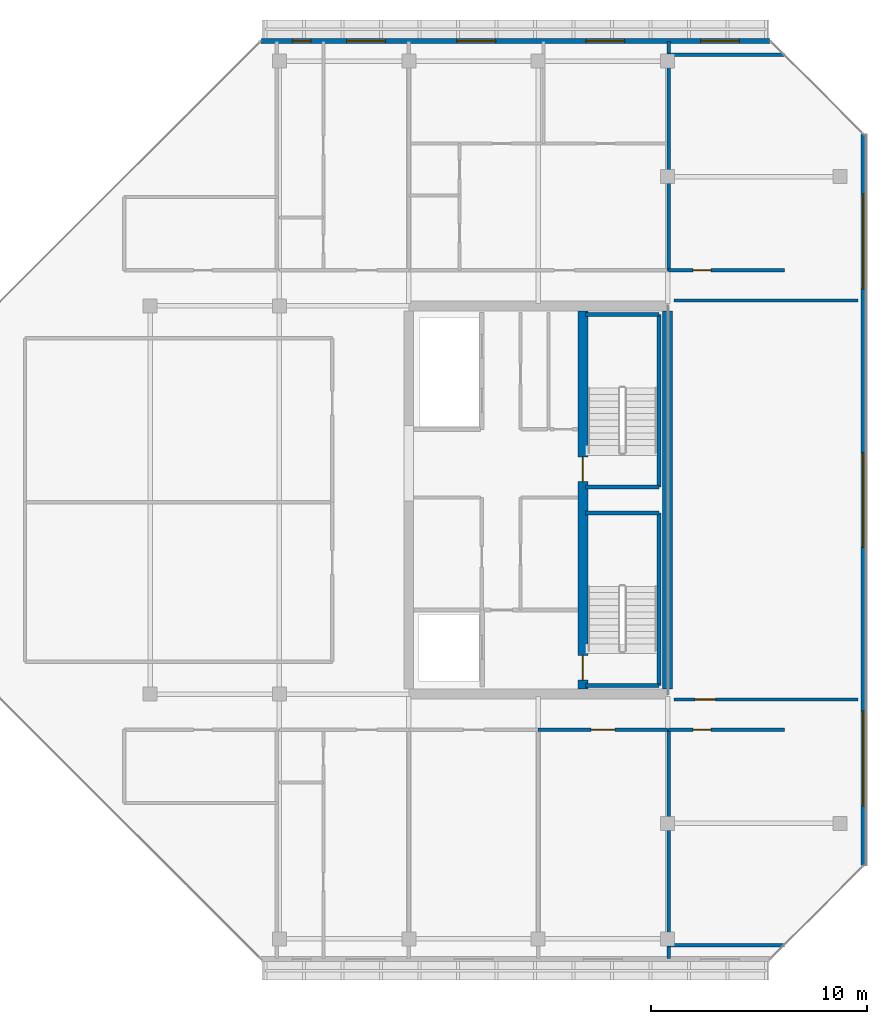
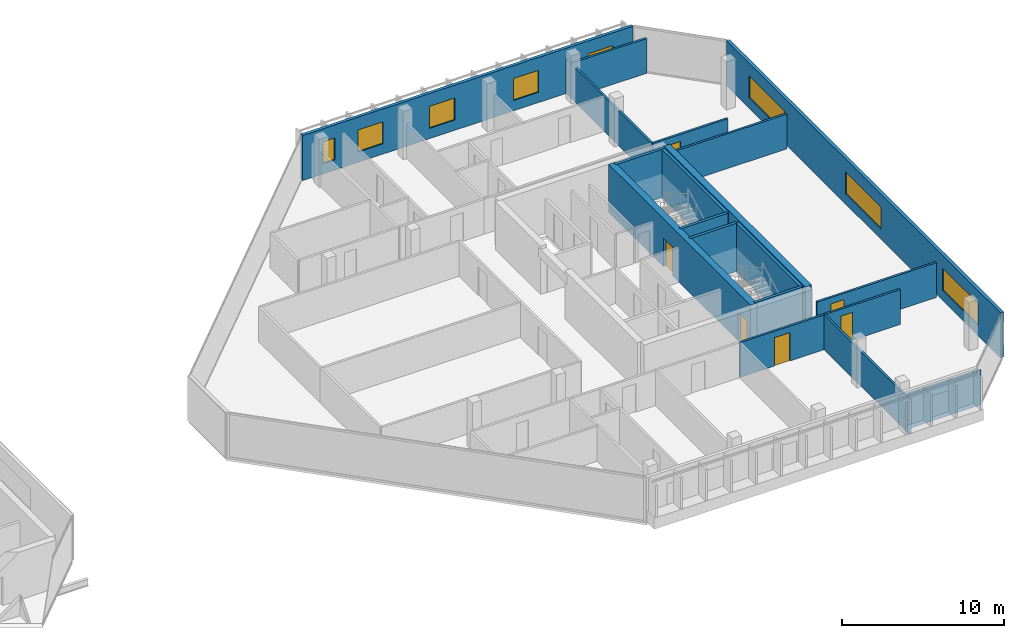
# One storey, part 24 of 28: 19 walls, 8 windows, 6 doors, 14 openings.
"""IFC4 building model written with IfcOpenShell, lengths in metres."""

from ifc_helpers import new_model, si_unit, direction, frame, frame_2d, origin, place, context, subcontext, project, spatial, rectangle, extrude, material, layer, layer_set, type_object, element, fill, save


model = new_model("IFC4")

# Units and contexts
model_context = context("Model", 3, precision=1e-05, world=origin(), true_north=direction((0.0, 1.0)))
body_context = subcontext(model_context, "Body", "Model", "MODEL_VIEW")
ifc_project = project(units=[si_unit("LENGTHUNIT", "METRE"), si_unit("AREAUNIT", "SQUARE_METRE"), si_unit("VOLUMEUNIT", "CUBIC_METRE"), si_unit("PLANEANGLEUNIT", "RADIAN"), si_unit("MASSUNIT", "GRAM", prefix="KILO")], contexts=[model_context])

# Site, building, storey
site_placement = place(None, origin())
site = spatial("IfcSite", under=ifc_project, at=site_placement, CompositionType="ELEMENT")
building_placement = place(site_placement, origin())
building = spatial("IfcBuilding", under=site, at=building_placement, Name="Tanjung Sevakor Pilgrim Tower", CompositionType="ELEMENT")
storey_placement = place(building_placement, frame((0.0, 0.0, 242.550048828125)))
storey = spatial("IfcBuildingStorey", under=building, at=storey_placement, Name="L68", CompositionType="ELEMENT", Elevation=242.550048828125)

# Wall
ifc_material_1 = material(Name="Concrete C60/75", Category="concrete")
ifc_layer_1 = layer(ifc_material_1, 0.449951171875)
ifc_layer_set_1 = layer_set([ifc_layer_1], Name="WALL-CW-450")
wall_type_1 = type_object("IfcWallType", Name="WALL-CW-450", PredefinedType="SHEAR", material=ifc_layer_set_1)
wall_1_placement = place(storey_placement, frame((90.0, 24.824951171875, 0.0), z_axis=(0.0, 0.0, 1.0), x_axis=(0.0, 1.0, 0.0)))
element("IfcWall", 1, at=wall_1_placement, inside=storey, type_object=wall_type_1, Name="L68 E Core Outer Shear Wall", PredefinedType="SHEAR", context=body_context, shape_type="SweptSolid", body=[
    extrude(rectangle(XDim=17.550048828125, YDim=0.449951171875, at=frame_2d((8.77490234375, 0.0))), origin(), (0.0, 0.0, 1.0), 3.6298828125),
])

# Wall, openings, doors
wall_2_placement = place(storey_placement, frame((86.074951171875, 24.824951171875, 0.0), z_axis=(0.0, 0.0, 1.0), x_axis=(0.0, 1.0, 0.0)))
wall_2 = element("IfcWall", 2, at=wall_2_placement, inside=storey, type_object=wall_type_1, Name="L68 E Core Stair Spine Wall", PredefinedType="SHEAR", context=body_context, shape_type="SweptSolid", body=[
    extrude(rectangle(XDim=17.550048828125, YDim=0.449951171875, at=frame_2d((8.77490234375, 0.0))), origin(), (0.0, 0.0, 1.0), 3.6298828125),
])
opening_1_placement = place(wall_2_placement, frame((0.425048828125, 0.0, 0.0)))
opening_1 = element("IfcOpeningElement", 3, at=opening_1_placement, cuts=wall_2, Name="Opening ID-ST1", PredefinedType="OPENING", context=body_context, shape_type="SweptSolid", body=[
    extrude(rectangle(XDim=1.14990234375, YDim=2.14990234375, at=frame_2d((0.574951171875, 1.074951171875))), frame((0.0, 0.23486328125, 0.0), z_axis=(0.0, -1.0, 0.0), x_axis=(1.0, 0.0, 0.0)), (0.0, 0.0, 1.0), 0.469970703125),
])
opening_2_placement = place(wall_2_placement, frame((9.625, 0.0, 0.0)))
opening_2 = element("IfcOpeningElement", 4, at=opening_2_placement, cuts=wall_2, Name="Opening ID-ST1", PredefinedType="OPENING", context=body_context, shape_type="SweptSolid", body=[
    extrude(rectangle(XDim=1.14990234375, YDim=2.14990234375, at=frame_2d((0.574951171875, 1.074951171875))), frame((0.0, 0.23486328125, 0.0), z_axis=(0.0, -1.0, 0.0), x_axis=(1.0, 0.0, 0.0)), (0.0, 0.0, 1.0), 0.469970703125),
])
ifc_material_2 = material(Name="Fire-Rated Steel S355J2", Category="steel")
door_type_1 = type_object("IfcDoorType", Name="DT-FIRE-1150", OperationType="NOTDEFINED", PredefinedType="DOOR", material=ifc_material_2)
door_1_placement = place(opening_1_placement, origin())
door_1 = element("IfcDoor", 5, at=door_1_placement, inside=storey, type_object=door_type_1, Name="L68 TS-E1 Stair Fire Door", OperationType="SINGLE_SWING_LEFT", OverallHeight=2.14990234375, OverallWidth=1.14990234375, PredefinedType="DOOR", context=body_context, shape_type="SweptSolid", body=[
    extrude(rectangle(XDim=1.14990234375, YDim=2.14990234375, at=frame_2d((0.574951171875, 1.074951171875))), frame((0.0, 0.02490234375, 0.0), z_axis=(0.0, -1.0, 0.0), x_axis=(1.0, 0.0, 0.0)), (0.0, 0.0, 1.0), 0.050048828125),
])
fill(opening_1, door_1)
door_2_placement = place(opening_2_placement, origin())
door_2 = element("IfcDoor", 6, at=door_2_placement, inside=storey, type_object=door_type_1, Name="L68 TS-E2 Stair Fire Door", OperationType="SINGLE_SWING_RIGHT", OverallHeight=2.14990234375, OverallWidth=1.14990234375, PredefinedType="DOOR", context=body_context, shape_type="SweptSolid", body=[
    extrude(rectangle(XDim=1.14990234375, YDim=2.14990234375, at=frame_2d((0.574951171875, 1.074951171875))), frame((0.0, 0.02490234375, 0.0), z_axis=(0.0, -1.0, 0.0), x_axis=(1.0, 0.0, 0.0)), (0.0, 0.0, 1.0), 0.050048828125),
])
fill(opening_2, door_2)

# Wall, opening, door
ifc_material_3 = material(Name="Concrete C40/50", Category="concrete")
ifc_layer_2 = layer(ifc_material_3, 0.14990234375)
ifc_layer_set_2 = layer_set([ifc_layer_2], Name="WT-COMP-150")
wall_type_2 = type_object("IfcWallType", Name="WT-COMP-150", PredefinedType="SOLIDWALL", material=ifc_layer_set_2)
wall_3_placement = place(storey_placement, frame((90.300048828125, 24.35009765625, 0.0), z_axis=(0.0, 0.0, 1.0), x_axis=(1.0, 0.0, 0.0)))
wall_3 = element("IfcWall", 7, at=wall_3_placement, inside=storey, type_object=wall_type_2, Name="L68 Partition IW-L68-041", PredefinedType="SOLIDWALL", context=body_context, shape_type="SweptSolid", body=[
    extrude(rectangle(XDim=8.52001953125, YDim=0.14990234375, at=frame_2d((4.260009765625, 0.0))), origin(), (0.0, 0.0, 1.0), 2.6298828125),
])
opening_3_placement = place(wall_3_placement, frame((0.97509765625, 0.0, 0.0)))
opening_3 = element("IfcOpeningElement", 8, at=opening_3_placement, cuts=wall_3, Name="Opening ID-RM1", PredefinedType="OPENING", context=body_context, shape_type="SweptSolid", body=[
    extrude(rectangle(XDim=0.949951171875, YDim=2.14990234375, at=frame_2d((0.47509765625, 1.074951171875))), frame((0.0, 0.0849609375, 0.0), z_axis=(0.0, -1.0, 0.0), x_axis=(1.0, 0.0, 0.0)), (0.0, 0.0, 1.0), 0.169921875),
])
ifc_material_4 = material(Name="Hardwood Timber", Category="wood")
door_type_2 = type_object("IfcDoorType", Name="DT-INT-950", OperationType="NOTDEFINED", PredefinedType="DOOR", material=ifc_material_4)
door_3_placement = place(opening_3_placement, origin())
door_3 = element("IfcDoor", 9, at=door_3_placement, inside=storey, type_object=door_type_2, Name="L68 East Crown Sanctuary Door", OperationType="SINGLE_SWING_LEFT", OverallHeight=2.14990234375, OverallWidth=0.949951171875, PredefinedType="DOOR", context=body_context, shape_type="SweptSolid", body=[
    extrude(rectangle(XDim=0.949951171875, YDim=2.14990234375, at=frame_2d((0.47509765625, 1.074951171875))), frame((0.0, 0.02490234375, 0.0), z_axis=(0.0, -1.0, 0.0), x_axis=(1.0, 0.0, 0.0)), (0.0, 0.0, 1.0), 0.050048828125),
])
fill(opening_3, door_3)

# Walls
wall_4_placement = place(storey_placement, frame((90.300048828125, 42.85009765625, 0.0), z_axis=(0.0, 0.0, 1.0), x_axis=(1.0, 0.0, 0.0)))
element("IfcWall", 10, at=wall_4_placement, inside=storey, type_object=wall_type_2, Name="L68 Partition IW-L68-042", PredefinedType="SOLIDWALL", context=body_context, shape_type="SweptSolid", body=[
    extrude(rectangle(XDim=8.52001953125, YDim=0.14990234375, at=frame_2d((4.260009765625, 0.0))), origin(), (0.0, 0.0, 1.0), 2.6298828125),
])
wall_5_placement = place(storey_placement, frame((90.050048828125, 12.949951171875, 0.0), z_axis=(0.0, 0.0, 1.0), x_axis=(1.0, 0.0, 0.0)))
element("IfcWall", 11, at=wall_5_placement, inside=storey, type_object=wall_type_2, Name="L68 Partition IW-L68-043", PredefinedType="SOLIDWALL", context=body_context, shape_type="SweptSolid", body=[
    extrude(rectangle(XDim=5.369873046875, YDim=0.14990234375, at=frame_2d((2.68505859375, 0.0))), origin(), (0.0, 0.0, 1.0), 2.6298828125),
])

# Wall, opening, door
wall_6_placement = place(storey_placement, frame((90.050048828125, 22.949951171875, 0.0), z_axis=(0.0, 0.0, 1.0), x_axis=(1.0, 0.0, 0.0)))
wall_6 = element("IfcWall", 12, at=wall_6_placement, inside=storey, type_object=wall_type_2, Name="L68 Partition IW-L68-044", PredefinedType="SOLIDWALL", context=body_context, shape_type="SweptSolid", body=[
    extrude(rectangle(XDim=5.369873046875, YDim=0.14990234375, at=frame_2d((2.68505859375, 0.0))), origin(), (0.0, 0.0, 1.0), 2.6298828125),
])
opening_4_placement = place(wall_6_placement, frame((1.125, 0.0, 0.0)))
opening_4 = element("IfcOpeningElement", 13, at=opening_4_placement, cuts=wall_6, Name="Opening ID-WC1", PredefinedType="OPENING", context=body_context, shape_type="SweptSolid", body=[
    extrude(rectangle(XDim=0.85009765625, YDim=2.10009765625, at=frame_2d((0.425048828125, 1.050048828125))), frame((0.0, 0.0849609375, 0.0), z_axis=(0.0, -1.0, 0.0), x_axis=(1.0, 0.0, 0.0)), (0.0, 0.0, 1.0), 0.169921875),
])
ifc_material_5 = material(Name="Moisture-Resistant Timber", Category="wood")
door_type_3 = type_object("IfcDoorType", Name="DT-INT-850", OperationType="NOTDEFINED", PredefinedType="DOOR", material=ifc_material_5)
door_4_placement = place(opening_4_placement, origin())
door_4 = element("IfcDoor", 14, at=door_4_placement, inside=storey, type_object=door_type_3, Name="L68 SE Crown Study Door", OperationType="SINGLE_SWING_RIGHT", OverallHeight=2.10009765625, OverallWidth=0.85009765625, PredefinedType="DOOR", context=body_context, shape_type="SweptSolid", body=[
    extrude(rectangle(XDim=0.85009765625, YDim=2.10009765625, at=frame_2d((0.425048828125, 1.050048828125))), frame((0.0, 0.02490234375, 0.0), z_axis=(0.0, -1.0, 0.0), x_axis=(1.0, 0.0, 0.0)), (0.0, 0.0, 1.0), 0.050048828125),
])
fill(opening_4, door_4)

# Wall
wall_7_placement = place(storey_placement, frame((90.050048828125, 12.340087890625, 0.0), z_axis=(0.0, 0.0, 1.0), x_axis=(0.0, 1.0, 0.0)))
element("IfcWall", 15, at=wall_7_placement, inside=storey, type_object=wall_type_2, Name="L68 Partition IW-L68-045", PredefinedType="SOLIDWALL", context=body_context, shape_type="SweptSolid", body=[
    extrude(rectangle(XDim=10.60986328125, YDim=0.14990234375, at=frame_2d((5.304931640625, 0.0))), origin(), (0.0, 0.0, 1.0), 2.6298828125),
])

# Wall, opening, door
wall_8_placement = place(storey_placement, frame((90.050048828125, 44.25, 0.0), z_axis=(0.0, 0.0, 1.0), x_axis=(1.0, 0.0, 0.0)))
wall_8 = element("IfcWall", 16, at=wall_8_placement, inside=storey, type_object=wall_type_2, Name="L68 Partition IW-L68-046", PredefinedType="SOLIDWALL", context=body_context, shape_type="SweptSolid", body=[
    extrude(rectangle(XDim=5.369873046875, YDim=0.14990234375, at=frame_2d((2.68505859375, 0.0))), origin(), (0.0, 0.0, 1.0), 2.6298828125),
])
opening_5_placement = place(wall_8_placement, frame((1.125, 0.0, 0.0)))
opening_5 = element("IfcOpeningElement", 17, at=opening_5_placement, cuts=wall_8, Name="Opening ID-WC1", PredefinedType="OPENING", context=body_context, shape_type="SweptSolid", body=[
    extrude(rectangle(XDim=0.85009765625, YDim=2.10009765625, at=frame_2d((0.425048828125, 1.050048828125))), frame((0.0, 0.0849609375, 0.0), z_axis=(0.0, -1.0, 0.0), x_axis=(1.0, 0.0, 0.0)), (0.0, 0.0, 1.0), 0.169921875),
])
door_5_placement = place(opening_5_placement, origin())
door_5 = element("IfcDoor", 18, at=door_5_placement, inside=storey, type_object=door_type_3, Name="L68 NE Crown Lounge Door", OperationType="SINGLE_SWING_LEFT", OverallHeight=2.10009765625, OverallWidth=0.85009765625, PredefinedType="DOOR", context=body_context, shape_type="SweptSolid", body=[
    extrude(rectangle(XDim=0.85009765625, YDim=2.10009765625, at=frame_2d((0.425048828125, 1.050048828125))), frame((0.0, 0.02490234375, 0.0), z_axis=(0.0, -1.0, 0.0), x_axis=(1.0, 0.0, 0.0)), (0.0, 0.0, 1.0), 0.050048828125),
])
fill(opening_5, door_5)

# Walls
wall_9_placement = place(storey_placement, frame((90.050048828125, 54.25, 0.0), z_axis=(0.0, 0.0, 1.0), x_axis=(1.0, 0.0, 0.0)))
element("IfcWall", 19, at=wall_9_placement, inside=storey, type_object=wall_type_2, Name="L68 Partition IW-L68-047", PredefinedType="SOLIDWALL", context=body_context, shape_type="SweptSolid", body=[
    extrude(rectangle(XDim=5.369873046875, YDim=0.14990234375, at=frame_2d((2.68505859375, 0.0))), origin(), (0.0, 0.0, 1.0), 2.6298828125),
])
wall_10_placement = place(storey_placement, frame((90.050048828125, 44.25, 0.0), z_axis=(0.0, 0.0, 1.0), x_axis=(0.0, 1.0, 0.0)))
element("IfcWall", 20, at=wall_10_placement, inside=storey, type_object=wall_type_2, Name="L68 Partition IW-L68-048", PredefinedType="SOLIDWALL", context=body_context, shape_type="SweptSolid", body=[
    extrude(rectangle(XDim=10.610107421875, YDim=0.14990234375, at=frame_2d((5.30517578125, 0.0))), origin(), (0.0, 0.0, 1.0), 2.6298828125),
])

# Wall, opening, door
wall_11_placement = place(storey_placement, frame((84.0, 22.949951171875, 0.0), z_axis=(0.0, 0.0, 1.0), x_axis=(1.0, 0.0, 0.0)))
wall_11 = element("IfcWall", 21, at=wall_11_placement, inside=storey, type_object=wall_type_2, Name="L68 Partition IW-L68-055", PredefinedType="SOLIDWALL", context=body_context, shape_type="SweptSolid", body=[
    extrude(rectangle(XDim=6.0, YDim=0.14990234375, at=frame_2d((3.0, 0.0))), origin(), (0.0, 0.0, 1.0), 2.6298828125),
])
opening_6_placement = place(wall_11_placement, frame((2.449951171875, 0.0, 0.0)))
opening_6 = element("IfcOpeningElement", 22, at=opening_6_placement, cuts=wall_11, Name="Opening ID-FD0", PredefinedType="OPENING", context=body_context, shape_type="SweptSolid", body=[
    extrude(rectangle(XDim=1.10009765625, YDim=2.14990234375, at=frame_2d((0.550048828125, 1.074951171875))), frame((0.0, 0.0849609375, 0.0), z_axis=(0.0, -1.0, 0.0), x_axis=(1.0, 0.0, 0.0)), (0.0, 0.0, 1.0), 0.169921875),
])
ifc_material_6 = material(Name="Fire-Rated Steel S355J2", Category="steel")
door_type_4 = type_object("IfcDoorType", Name="DT-FIRE-1100", OperationType="NOTDEFINED", PredefinedType="DOOR", material=ifc_material_6)
door_6_placement = place(opening_6_placement, origin())
door_6 = element("IfcDoor", 23, at=door_6_placement, inside=storey, type_object=door_type_4, Name="Observatory Door", OperationType="SINGLE_SWING_RIGHT", OverallHeight=2.14990234375, OverallWidth=1.10009765625, PredefinedType="DOOR", context=body_context, shape_type="SweptSolid", body=[
    extrude(rectangle(XDim=1.10009765625, YDim=2.14990234375, at=frame_2d((0.550048828125, 1.074951171875))), frame((0.0, 0.02490234375, 0.0), z_axis=(0.0, -1.0, 0.0), x_axis=(1.0, 0.0, 0.0)), (0.0, 0.0, 1.0), 0.050048828125),
])
fill(opening_6, door_6)

# Wall, openings, windows
ifc_material_7 = material(Name="Precast concrete C45/55", Category="concrete")
ifc_layer_3 = layer(ifc_material_7, 0.219970703125)
ifc_layer_set_3 = layer_set([ifc_layer_3], Name="WT-EW-STN4")
wall_type_3 = type_object("IfcWallType", Name="WT-EW-STN4", PredefinedType="SOLIDWALL", material=ifc_layer_set_3)
wall_12_placement = place(storey_placement, frame((99.090087890625, 16.6455078125, 0.0), z_axis=(0.0, 0.0, 1.0), x_axis=(0.0, 1.0, 0.0)))
wall_12 = element("IfcWall", 24, at=wall_12_placement, inside=storey, type_object=wall_type_3, Name="L68 EAST Exterior Wall 3", PredefinedType="SOLIDWALL", context=body_context, shape_type="SweptSolid", body=[
    extrude(rectangle(XDim=33.908935546875, YDim=0.219970703125, at=frame_2d((16.95458984375, 0.0))), origin(), (0.0, 0.0, 1.0), 3.409912109375),
])
opening_7_placement = place(wall_12_placement, frame((14.75439453125, 0.0, 0.780029296875)))
opening_7 = element("IfcOpeningElement", 25, at=opening_7_placement, cuts=wall_12, Name="Opening WN-ENDW-1660", PredefinedType="OPENING", context=body_context, shape_type="SweptSolid", body=[
    extrude(rectangle(XDim=4.39990234375, YDim=1.659912109375, at=frame_2d((2.199951171875, 0.830078125))), frame((0.0, 0.119873046875, 0.0), z_axis=(0.0, -1.0, 0.0), x_axis=(1.0, 0.0, 0.0)), (0.0, 0.0, 1.0), 0.239990234375),
])
opening_8_placement = place(wall_12_placement, frame((2.772216796875, 0.0, 0.780029296875)))
opening_8 = element("IfcOpeningElement", 26, at=opening_8_placement, cuts=wall_12, Name="Opening WN-ENDW-1660", PredefinedType="OPENING", context=body_context, shape_type="SweptSolid", body=[
    extrude(rectangle(XDim=4.39990234375, YDim=1.659912109375, at=frame_2d((2.199951171875, 0.830078125))), frame((0.0, 0.119873046875, 0.0), z_axis=(0.0, -1.0, 0.0), x_axis=(1.0, 0.0, 0.0)), (0.0, 0.0, 1.0), 0.239990234375),
])
opening_9_placement = place(wall_12_placement, frame((26.736572265625, 0.0, 0.780029296875)))
opening_9 = element("IfcOpeningElement", 27, at=opening_9_placement, cuts=wall_12, Name="Opening WN-ENDW-1660", PredefinedType="OPENING", context=body_context, shape_type="SweptSolid", body=[
    extrude(rectangle(XDim=4.39990234375, YDim=1.659912109375, at=frame_2d((2.199951171875, 0.830078125))), frame((0.0, 0.119873046875, 0.0), z_axis=(0.0, -1.0, 0.0), x_axis=(1.0, 0.0, 0.0)), (0.0, 0.0, 1.0), 0.239990234375),
])
ifc_material_8 = material(Name="Thermally Broken Aluminium and Low-E Glass", Category="aluminium")
window_type_1 = type_object("IfcWindowType", Name="WTYP-WN-ENDW-1660", PartitioningType="DOUBLE_PANEL_VERTICAL", PredefinedType="WINDOW", material=ifc_material_8)
window_1_placement = place(opening_7_placement, origin())
window_1 = element("IfcWindow", 28, at=window_1_placement, inside=storey, type_object=window_type_1, Name="L68 Facade Window 01", OverallHeight=1.659912109375, OverallWidth=4.39990234375, PartitioningType="SINGLE_PANEL", PredefinedType="WINDOW", context=body_context, shape_type="SweptSolid", body=[
    extrude(rectangle(XDim=4.39990234375, YDim=1.659912109375, at=frame_2d((2.199951171875, 0.830078125))), frame((0.0, 0.030029296875, 0.0), z_axis=(0.0, -1.0, 0.0), x_axis=(1.0, 0.0, 0.0)), (0.0, 0.0, 1.0), 0.06005859375),
])
fill(opening_7, window_1)
window_2_placement = place(opening_8_placement, origin())
window_2 = element("IfcWindow", 29, at=window_2_placement, inside=storey, type_object=window_type_1, Name="L68 Facade Window 02", OverallHeight=1.659912109375, OverallWidth=4.39990234375, PartitioningType="SINGLE_PANEL", PredefinedType="WINDOW", context=body_context, shape_type="SweptSolid", body=[
    extrude(rectangle(XDim=4.39990234375, YDim=1.659912109375, at=frame_2d((2.199951171875, 0.830078125))), frame((0.0, 0.030029296875, 0.0), z_axis=(0.0, -1.0, 0.0), x_axis=(1.0, 0.0, 0.0)), (0.0, 0.0, 1.0), 0.06005859375),
])
fill(opening_8, window_2)
window_3_placement = place(opening_9_placement, origin())
window_3 = element("IfcWindow", 30, at=window_3_placement, inside=storey, type_object=window_type_1, Name="L68 Facade Window 03", OverallHeight=1.659912109375, OverallWidth=4.39990234375, PartitioningType="SINGLE_PANEL", PredefinedType="WINDOW", context=body_context, shape_type="SweptSolid", body=[
    extrude(rectangle(XDim=4.39990234375, YDim=1.659912109375, at=frame_2d((2.199951171875, 0.830078125))), frame((0.0, 0.030029296875, 0.0), z_axis=(0.0, -1.0, 0.0), x_axis=(1.0, 0.0, 0.0)), (0.0, 0.0, 1.0), 0.06005859375),
])
fill(opening_9, window_3)

wall_13_placement = place(storey_placement, frame((94.75439453125, 54.889892578125, 0.0), z_axis=(0.0, 0.0, 1.0), x_axis=(-1.0, 0.0, 0.0)))
wall_13 = element("IfcWall", 31, at=wall_13_placement, inside=storey, type_object=wall_type_3, Name="L68 EAST Exterior Wall 5", PredefinedType="SOLIDWALL", context=body_context, shape_type="SweptSolid", body=[
    extrude(rectangle(XDim=23.60888671875, YDim=0.219970703125, at=frame_2d((11.804443359375, 0.0))), origin(), (0.0, 0.0, 1.0), 3.409912109375),
])
opening_10_placement = place(wall_13_placement, frame((1.42724609375, 0.0, 0.780029296875)))
opening_10 = element("IfcOpeningElement", 32, at=opening_10_placement, cuts=wall_13, Name="Opening WN-Z3-1660", PredefinedType="OPENING", context=body_context, shape_type="SweptSolid", body=[
    extrude(rectangle(XDim=1.800048828125, YDim=1.659912109375, at=frame_2d((0.89990234375, 0.830078125))), frame((0.0, 0.119873046875, 0.0), z_axis=(0.0, -1.0, 0.0), x_axis=(1.0, 0.0, 0.0)), (0.0, 0.0, 1.0), 0.239990234375),
])
opening_11_placement = place(wall_13_placement, frame((21.29931640625, 0.0, 0.780029296875)))
opening_11 = element("IfcOpeningElement", 33, at=opening_11_placement, cuts=wall_13, Name="Opening WN-SLM", PredefinedType="OPENING", context=body_context, shape_type="SweptSolid", body=[
    extrude(rectangle(XDim=0.85009765625, YDim=1.64990234375, at=frame_2d((0.425048828125, 0.824951171875))), frame((0.0, 0.119873046875, 0.0), z_axis=(0.0, -1.0, 0.0), x_axis=(1.0, 0.0, 0.0)), (0.0, 0.0, 1.0), 0.239990234375),
])
opening_12_placement = place(wall_13_placement, frame((17.844482421875, 0.0, 0.780029296875)))
opening_12 = element("IfcOpeningElement", 34, at=opening_12_placement, cuts=wall_13, Name="Opening WN-Z3-1660", PredefinedType="OPENING", context=body_context, shape_type="SweptSolid", body=[
    extrude(rectangle(XDim=1.800048828125, YDim=1.659912109375, at=frame_2d((0.89990234375, 0.830078125))), frame((0.0, 0.119873046875, 0.0), z_axis=(0.0, -1.0, 0.0), x_axis=(1.0, 0.0, 0.0)), (0.0, 0.0, 1.0), 0.239990234375),
])
opening_13_placement = place(wall_13_placement, frame((12.724365234375, 0.0, 0.780029296875)))
opening_13 = element("IfcOpeningElement", 35, at=opening_13_placement, cuts=wall_13, Name="Opening WN-Z3-1660", PredefinedType="OPENING", context=body_context, shape_type="SweptSolid", body=[
    extrude(rectangle(XDim=1.800048828125, YDim=1.659912109375, at=frame_2d((0.89990234375, 0.830078125))), frame((0.0, 0.119873046875, 0.0), z_axis=(0.0, -1.0, 0.0), x_axis=(1.0, 0.0, 0.0)), (0.0, 0.0, 1.0), 0.239990234375),
])
opening_14_placement = place(wall_13_placement, frame((6.744384765625, 0.0, 0.780029296875)))
opening_14 = element("IfcOpeningElement", 36, at=opening_14_placement, cuts=wall_13, Name="Opening WN-Z3-1660", PredefinedType="OPENING", context=body_context, shape_type="SweptSolid", body=[
    extrude(rectangle(XDim=1.800048828125, YDim=1.659912109375, at=frame_2d((0.89990234375, 0.830078125))), frame((0.0, 0.119873046875, 0.0), z_axis=(0.0, -1.0, 0.0), x_axis=(1.0, 0.0, 0.0)), (0.0, 0.0, 1.0), 0.239990234375),
])
ifc_material_9 = material(Name="Thermally Broken Aluminium and Low-E Glass", Category="aluminium")
window_type_2 = type_object("IfcWindowType", Name="WTYP-WN-SLM", PartitioningType="SINGLE_PANEL", PredefinedType="WINDOW", material=ifc_material_9)
window_4_placement = place(opening_11_placement, origin())
window_4 = element("IfcWindow", 37, at=window_4_placement, inside=storey, type_object=window_type_2, Name="L68 Facade Window 02", OverallHeight=1.64990234375, OverallWidth=0.85009765625, PartitioningType="SINGLE_PANEL", PredefinedType="WINDOW", context=body_context, shape_type="SweptSolid", body=[
    extrude(rectangle(XDim=0.85009765625, YDim=1.64990234375, at=frame_2d((0.425048828125, 0.824951171875))), frame((0.0, 0.030029296875, 0.0), z_axis=(0.0, -1.0, 0.0), x_axis=(1.0, 0.0, 0.0)), (0.0, 0.0, 1.0), 0.06005859375),
])
fill(opening_11, window_4)
ifc_material_10 = material(Name="Thermally Broken Aluminium and Low-E Glass", Category="aluminium")
window_type_3 = type_object("IfcWindowType", Name="WTYP-WN-Z3-1660", PartitioningType="DOUBLE_PANEL_VERTICAL", PredefinedType="WINDOW", material=ifc_material_10)
window_5_placement = place(opening_10_placement, origin())
window_5 = element("IfcWindow", 38, at=window_5_placement, inside=storey, type_object=window_type_3, Name="L68 Facade Window 01", OverallHeight=1.659912109375, OverallWidth=1.800048828125, PartitioningType="SINGLE_PANEL", PredefinedType="WINDOW", context=body_context, shape_type="SweptSolid", body=[
    extrude(rectangle(XDim=1.800048828125, YDim=1.659912109375, at=frame_2d((0.89990234375, 0.830078125))), frame((0.0, 0.030029296875, 0.0), z_axis=(0.0, -1.0, 0.0), x_axis=(1.0, 0.0, 0.0)), (0.0, 0.0, 1.0), 0.06005859375),
])
fill(opening_10, window_5)
window_6_placement = place(opening_12_placement, origin())
window_6 = element("IfcWindow", 39, at=window_6_placement, inside=storey, type_object=window_type_3, Name="L68 Facade Window 03", OverallHeight=1.659912109375, OverallWidth=1.800048828125, PartitioningType="SINGLE_PANEL", PredefinedType="WINDOW", context=body_context, shape_type="SweptSolid", body=[
    extrude(rectangle(XDim=1.800048828125, YDim=1.659912109375, at=frame_2d((0.89990234375, 0.830078125))), frame((0.0, 0.030029296875, 0.0), z_axis=(0.0, -1.0, 0.0), x_axis=(1.0, 0.0, 0.0)), (0.0, 0.0, 1.0), 0.06005859375),
])
fill(opening_12, window_6)
window_7_placement = place(opening_13_placement, origin())
window_7 = element("IfcWindow", 40, at=window_7_placement, inside=storey, type_object=window_type_3, Name="L68 Facade Window 04", OverallHeight=1.659912109375, OverallWidth=1.800048828125, PartitioningType="SINGLE_PANEL", PredefinedType="WINDOW", context=body_context, shape_type="SweptSolid", body=[
    extrude(rectangle(XDim=1.800048828125, YDim=1.659912109375, at=frame_2d((0.89990234375, 0.830078125))), frame((0.0, 0.030029296875, 0.0), z_axis=(0.0, -1.0, 0.0), x_axis=(1.0, 0.0, 0.0)), (0.0, 0.0, 1.0), 0.06005859375),
])
fill(opening_13, window_7)
window_8_placement = place(opening_14_placement, origin())
window_8 = element("IfcWindow", 41, at=window_8_placement, inside=storey, type_object=window_type_3, Name="L68 Facade Window 05", OverallHeight=1.659912109375, OverallWidth=1.800048828125, PartitioningType="SINGLE_PANEL", PredefinedType="WINDOW", context=body_context, shape_type="SweptSolid", body=[
    extrude(rectangle(XDim=1.800048828125, YDim=1.659912109375, at=frame_2d((0.89990234375, 0.830078125))), frame((0.0, 0.030029296875, 0.0), z_axis=(0.0, -1.0, 0.0), x_axis=(1.0, 0.0, 0.0)), (0.0, 0.0, 1.0), 0.06005859375),
])
fill(opening_14, window_8)

# Walls
ifc_material_11 = material(Name="Concrete C40/50", Category="concrete")
ifc_layer_4 = layer(ifc_material_11, 0.199951171875)
ifc_layer_set_4 = layer_set([ifc_layer_4], Name="WT-FIRE-200")
wall_type_4 = type_object("IfcWallType", Name="WT-FIRE-200", PredefinedType="SOLIDWALL", material=ifc_layer_set_4)
wall_14_placement = place(storey_placement, frame((86.199951171875, 25.0, 0.0), z_axis=(0.0, 0.0, 1.0), x_axis=(1.0, 0.0, 0.0)))
element("IfcWall", 42, at=wall_14_placement, inside=storey, type_object=wall_type_4, Name="L68 TS-E1 Shaft Wall 1", PredefinedType="SOLIDWALL", context=body_context, shape_type="SweptSolid", body=[
    extrude(rectangle(XDim=3.400146484375, YDim=0.199951171875, at=frame_2d((1.7001953125, 0.0))), origin(), (0.0, 0.0, 1.0), 3.6298828125),
])
wall_15_placement = place(storey_placement, frame((89.60009765625, 25.0, 0.0), z_axis=(0.0, 0.0, 1.0), x_axis=(0.0, 1.0, 0.0)))
element("IfcWall", 43, at=wall_15_placement, inside=storey, type_object=wall_type_4, Name="L68 TS-E1 Shaft Wall 2", PredefinedType="SOLIDWALL", context=body_context, shape_type="SweptSolid", body=[
    extrude(rectangle(XDim=8.0, YDim=0.199951171875, at=frame_2d((4.0, 0.0))), origin(), (0.0, 0.0, 1.0), 3.6298828125),
])
for number, where, z_axis, x_axis, name in (
    (44, (89.60009765625, 33.0, 0.0), (0.0, 0.0, 1.0), (-1.0, 0.0, 0.0), "L68 TS-E1 Shaft Wall 3"),
    (45, (86.199951171875, 34.199951171875, 0.0), (0.0, 0.0, 1.0), (1.0, 0.0, 0.0), "L68 TS-E2 Shaft Wall 1"),
):
    element("IfcWall", number, at=place(storey_placement, frame(where, z_axis=z_axis, x_axis=x_axis)), inside=storey, type_object=wall_type_4, Name=name, PredefinedType="SOLIDWALL", context=body_context, shape_type="SweptSolid", body=[
        extrude(rectangle(XDim=3.400146484375, YDim=0.199951171875, at=frame_2d((1.7001953125, 0.0))), origin(), (0.0, 0.0, 1.0), 3.6298828125),
    ])
wall_16_placement = place(storey_placement, frame((89.60009765625, 34.199951171875, 0.0), z_axis=(0.0, 0.0, 1.0), x_axis=(0.0, 1.0, 0.0)))
element("IfcWall", 46, at=wall_16_placement, inside=storey, type_object=wall_type_4, Name="L68 TS-E2 Shaft Wall 2", PredefinedType="SOLIDWALL", context=body_context, shape_type="SweptSolid", body=[
    extrude(rectangle(XDim=8.0, YDim=0.199951171875, at=frame_2d((4.0, 0.0))), origin(), (0.0, 0.0, 1.0), 3.6298828125),
])
wall_17_placement = place(storey_placement, frame((89.60009765625, 42.199951171875, 0.0), z_axis=(0.0, 0.0, 1.0), x_axis=(-1.0, 0.0, 0.0)))
element("IfcWall", 47, at=wall_17_placement, inside=storey, type_object=wall_type_4, Name="L68 TS-E2 Shaft Wall 3", PredefinedType="SOLIDWALL", context=body_context, shape_type="SweptSolid", body=[
    extrude(rectangle(XDim=3.400146484375, YDim=0.199951171875, at=frame_2d((1.7001953125, 0.0))), origin(), (0.0, 0.0, 1.0), 3.6298828125),
])

save(model, "model.ifc")
